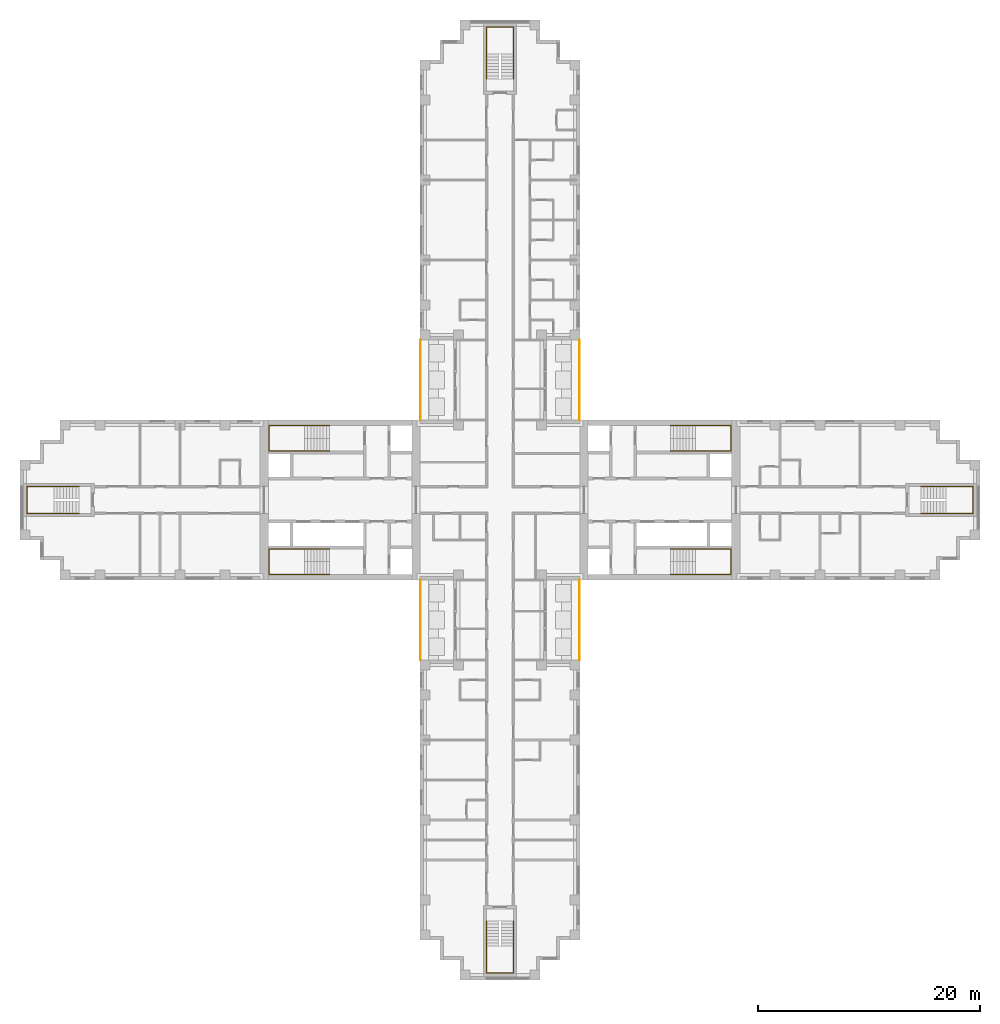
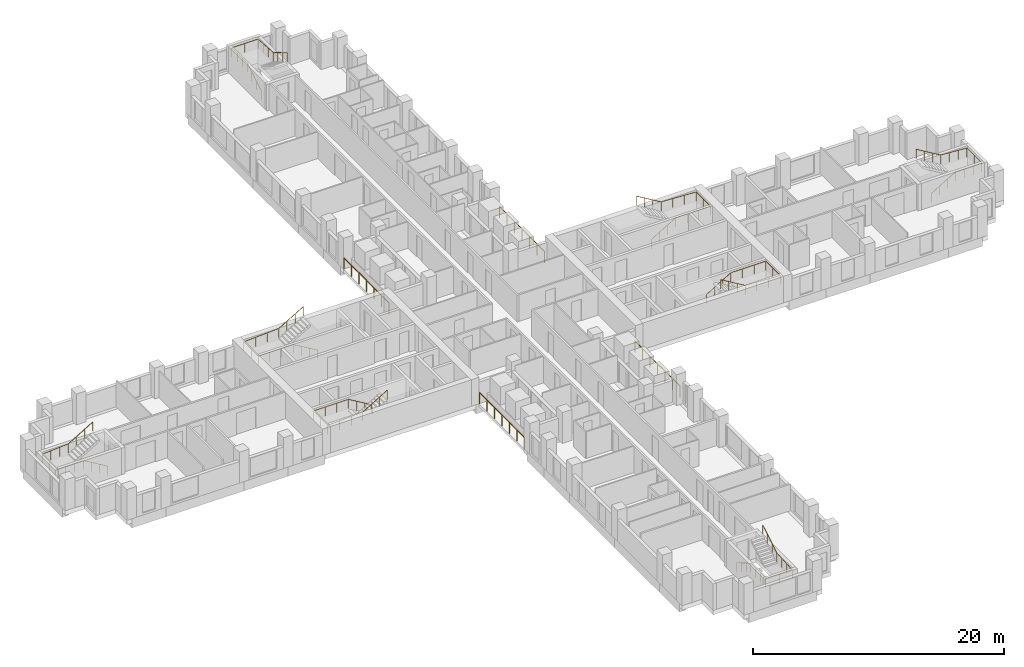
# One storey, part 14 of 15: 12 railings.
"""IFC4 building model written with IfcOpenShell, lengths in metres."""

from ifc_helpers import new_model, si_unit, direction, frame, origin, origin_2d, place, context, subcontext, project, spatial, circle, extrude, material, type_object, element, save


model = new_model("IFC4")

# Units and contexts
model_context = context("Model", 3, precision=1e-05, world=origin(), true_north=direction((0.0, 1.0)))
body_context = subcontext(model_context, "Body", "Model", "MODEL_VIEW")
ifc_project = project(units=[si_unit("LENGTHUNIT", "METRE"), si_unit("AREAUNIT", "SQUARE_METRE"), si_unit("VOLUMEUNIT", "CUBIC_METRE"), si_unit("PLANEANGLEUNIT", "RADIAN"), si_unit("MASSUNIT", "GRAM", prefix="KILO")], contexts=[model_context])

# Site, building, storey
site_placement = place(None, origin())
site = spatial("IfcSite", under=ifc_project, at=site_placement, CompositionType="ELEMENT")
building_placement = place(site_placement, origin())
building = spatial("IfcBuilding", under=site, at=building_placement, Name="Fustian Cross Tower", CompositionType="ELEMENT")
storey_placement = place(building_placement, frame((0.0, 0.0, 38.699951171875)))
storey = spatial("IfcBuildingStorey", under=building, at=storey_placement, Name="L11", CompositionType="ELEMENT", Elevation=38.699951171875)

# Railings
ifc_material_1 = material(Name="Stainless steel and glass", Category="steel")
railing_type_1 = type_object("IfcRailingType", Name="GR1 BALCONY GUARD 1100", PredefinedType="GUARDRAIL", material=ifc_material_1)
for number, where, name in (
    (1, (7.14990234375, 7.199951171875, 0.0), "Balcony guard"),
    (2, (-7.14990234375, 7.199951171875, 0.0), "Balcony guard"),
    (3, (7.14990234375, -14.39990234375, 0.0), "Balcony guard"),
    (4, (-7.14990234375, -14.39990234375, 0.0), "Balcony guard"),
):
    element("IfcRailing", number, at=place(storey_placement, frame(where)), inside=storey, type_object=railing_type_1, Name=name, PredefinedType="GUARDRAIL", context=body_context, shape_type="SweptSolid", body=[
        extrude(circle(Radius=0.02392578125, at=origin_2d()), frame((0.0, 0.0, 1.076171875), z_axis=(0.0, 1.0, 0.0), x_axis=(-1.0, 0.0, 0.0)), (0.0, 0.0, 1.0), 7.199951171875),
        extrude(circle(Radius=0.02099609375, at=origin_2d()), origin(), (0.0, 0.0, 1.0), 1.052001953125),
        extrude(circle(Radius=0.02099609375, at=origin_2d()), frame((0.0, 1.199951171875, 0.0)), (0.0, 0.0, 1.0), 1.052001953125),
        extrude(circle(Radius=0.02099609375, at=origin_2d()), frame((0.0, 2.39990234375, 0.0)), (0.0, 0.0, 1.0), 1.052001953125),
        extrude(circle(Radius=0.02099609375, at=origin_2d()), frame((0.0, 3.60009765625, 0.0)), (0.0, 0.0, 1.0), 1.052001953125),
        extrude(circle(Radius=0.02099609375, at=origin_2d()), frame((0.0, 4.800048828125, 0.0)), (0.0, 0.0, 1.0), 1.052001953125),
        extrude(circle(Radius=0.02099609375, at=origin_2d()), frame((0.0, 6.0, 0.0)), (0.0, 0.0, 1.0), 1.052001953125),
        extrude(circle(Radius=0.02099609375, at=origin_2d()), frame((0.0, 7.199951171875, 0.0)), (0.0, 0.0, 1.0), 1.052001953125),
    ])
ifc_material_2 = material(Name="Stainless steel", Category="steel")
railing_type_2 = type_object("IfcRailingType", Name="STAIR HANDRAIL", PredefinedType="HANDRAIL", material=ifc_material_2)
railing_1_placement = place(storey_placement, frame((15.35009765625, 4.39990234375, 0.166748046875)))
element("IfcRailing", 5, at=railing_1_placement, inside=storey, type_object=railing_type_2, Name="Stair ST1 handrail 1", PredefinedType="HANDRAIL", context=body_context, shape_type="SweptSolid", body=[
    extrude(circle(Radius=0.02490234375, at=origin_2d()), frame((0.0, 0.0, 0.875), z_axis=(0.859305625298, 0.0, 0.511462454469), x_axis=(0.0, 1.0, 0.0)), (0.0, 0.0, 1.0), 2.606689453125),
    extrude(circle(Radius=0.02490234375, at=origin_2d()), frame((2.239990234375, 0.0, 2.2080078125), z_axis=(1.0, 0.0, 0.0), x_axis=(0.0, 1.0, 0.0)), (0.0, 0.0, 1.0), 3.219970703125),
    extrude(circle(Radius=0.02490234375, at=origin_2d()), frame((5.4599609375, 0.0, 2.2080078125), z_axis=(0.0, 1.0, 0.0), x_axis=(-1.0, 0.0, 0.0)), (0.0, 0.0, 1.0), 2.300048828125),
    extrude(circle(Radius=0.02490234375, at=origin_2d()), frame((5.4599609375, 2.300048828125, 2.2080078125), z_axis=(-0.998661817807, 0.0, 0.051716280352), x_axis=(0.0, -1.0, 0.0)), (0.0, 0.0, 1.0), 3.224365234375),
    extrude(circle(Radius=0.02490234375, at=origin_2d()), frame((2.239990234375, 2.300048828125, 2.375), z_axis=(-0.859305625298, 0.0, 0.511462454469), x_axis=(0.0, -1.0, 0.0)), (0.0, 0.0, 1.0), 2.606689453125),
    extrude(circle(Radius=0.02001953125, at=origin_2d()), origin(), (0.0, 0.0, 1.0), 0.849853515625),
    extrude(circle(Radius=0.02001953125, at=origin_2d()), frame((0.74658203125, 0.0, 0.4443359375)), (0.0, 0.0, 1.0), 0.849853515625),
    extrude(circle(Radius=0.02001953125, at=origin_2d()), frame((1.493408203125, 0.0, 0.888916015625)), (0.0, 0.0, 1.0), 0.849853515625),
    extrude(circle(Radius=0.02001953125, at=origin_2d()), frame((2.239990234375, 0.0, 1.333251953125)), (0.0, 0.0, 1.0), 0.849853515625),
    extrude(circle(Radius=0.02001953125, at=origin_2d()), frame((3.313232421875, 0.0, 1.333251953125)), (0.0, 0.0, 1.0), 0.849853515625),
    extrude(circle(Radius=0.02001953125, at=origin_2d()), frame((4.38671875, 0.0, 1.333251953125)), (0.0, 0.0, 1.0), 0.849853515625),
    extrude(circle(Radius=0.02001953125, at=origin_2d()), frame((5.4599609375, 0.0, 1.333251953125)), (0.0, 0.0, 1.0), 0.849853515625),
    extrude(circle(Radius=0.02001953125, at=origin_2d()), frame((5.4599609375, 1.14990234375, 1.333251953125)), (0.0, 0.0, 1.0), 0.849853515625),
    extrude(circle(Radius=0.02001953125, at=origin_2d()), frame((5.4599609375, 2.300048828125, 1.333251953125)), (0.0, 0.0, 1.0), 0.849853515625),
    extrude(circle(Radius=0.02001953125, at=origin_2d()), frame((4.38671875, 2.300048828125, 1.388916015625)), (0.0, 0.0, 1.0), 0.849853515625),
    extrude(circle(Radius=0.02001953125, at=origin_2d()), frame((3.313232421875, 2.300048828125, 1.4443359375)), (0.0, 0.0, 1.0), 0.849853515625),
    extrude(circle(Radius=0.02001953125, at=origin_2d()), frame((2.239990234375, 2.300048828125, 1.5)), (0.0, 0.0, 1.0), 0.849853515625),
    extrude(circle(Radius=0.02001953125, at=origin_2d()), frame((1.493408203125, 2.300048828125, 1.9443359375)), (0.0, 0.0, 1.0), 0.849853515625),
    extrude(circle(Radius=0.02001953125, at=origin_2d()), frame((0.74658203125, 2.300048828125, 2.388916015625)), (0.0, 0.0, 1.0), 0.849853515625),
    extrude(circle(Radius=0.02001953125, at=origin_2d()), frame((0.0, 2.300048828125, 2.833251953125)), (0.0, 0.0, 1.0), 0.849853515625),
])
railing_2_placement = place(storey_placement, frame((15.35009765625, -4.39990234375, 0.166748046875)))
element("IfcRailing", 6, at=railing_2_placement, inside=storey, type_object=railing_type_2, Name="Stair ST2 handrail 1", PredefinedType="HANDRAIL", context=body_context, shape_type="SweptSolid", body=[
    extrude(circle(Radius=0.02490234375, at=origin_2d()), frame((0.0, 0.0, 0.875), z_axis=(0.859305625298, 0.0, 0.511462454469), x_axis=(0.0, 1.0, 0.0)), (0.0, 0.0, 1.0), 2.606689453125),
    extrude(circle(Radius=0.02490234375, at=origin_2d()), frame((2.239990234375, 0.0, 2.2080078125), z_axis=(1.0, 0.0, 0.0), x_axis=(0.0, 1.0, 0.0)), (0.0, 0.0, 1.0), 3.219970703125),
    extrude(circle(Radius=0.02490234375, at=origin_2d()), frame((5.4599609375, 0.0, 2.2080078125), z_axis=(0.0, -1.0, 0.0), x_axis=(1.0, 0.0, 0.0)), (0.0, 0.0, 1.0), 2.300048828125),
    extrude(circle(Radius=0.02490234375, at=origin_2d()), frame((5.4599609375, -2.300048828125, 2.2080078125), z_axis=(-0.998661817807, 0.0, 0.051716280352), x_axis=(0.0, -1.0, 0.0)), (0.0, 0.0, 1.0), 3.224365234375),
    extrude(circle(Radius=0.02490234375, at=origin_2d()), frame((2.239990234375, -2.300048828125, 2.375), z_axis=(-0.859305625298, 0.0, 0.511462454469), x_axis=(0.0, -1.0, 0.0)), (0.0, 0.0, 1.0), 2.606689453125),
    extrude(circle(Radius=0.02001953125, at=origin_2d()), origin(), (0.0, 0.0, 1.0), 0.849853515625),
    extrude(circle(Radius=0.02001953125, at=origin_2d()), frame((0.74658203125, 0.0, 0.4443359375)), (0.0, 0.0, 1.0), 0.849853515625),
    extrude(circle(Radius=0.02001953125, at=origin_2d()), frame((1.493408203125, 0.0, 0.888916015625)), (0.0, 0.0, 1.0), 0.849853515625),
    extrude(circle(Radius=0.02001953125, at=origin_2d()), frame((2.239990234375, 0.0, 1.333251953125)), (0.0, 0.0, 1.0), 0.849853515625),
    extrude(circle(Radius=0.02001953125, at=origin_2d()), frame((3.313232421875, 0.0, 1.333251953125)), (0.0, 0.0, 1.0), 0.849853515625),
    extrude(circle(Radius=0.02001953125, at=origin_2d()), frame((4.38671875, 0.0, 1.333251953125)), (0.0, 0.0, 1.0), 0.849853515625),
    extrude(circle(Radius=0.02001953125, at=origin_2d()), frame((5.4599609375, 0.0, 1.333251953125)), (0.0, 0.0, 1.0), 0.849853515625),
    extrude(circle(Radius=0.02001953125, at=origin_2d()), frame((5.4599609375, -1.14990234375, 1.333251953125)), (0.0, 0.0, 1.0), 0.849853515625),
    extrude(circle(Radius=0.02001953125, at=origin_2d()), frame((5.4599609375, -2.300048828125, 1.333251953125)), (0.0, 0.0, 1.0), 0.849853515625),
    extrude(circle(Radius=0.02001953125, at=origin_2d()), frame((4.38671875, -2.300048828125, 1.388916015625)), (0.0, 0.0, 1.0), 0.849853515625),
    extrude(circle(Radius=0.02001953125, at=origin_2d()), frame((3.313232421875, -2.300048828125, 1.4443359375)), (0.0, 0.0, 1.0), 0.849853515625),
    extrude(circle(Radius=0.02001953125, at=origin_2d()), frame((2.239990234375, -2.300048828125, 1.5)), (0.0, 0.0, 1.0), 0.849853515625),
    extrude(circle(Radius=0.02001953125, at=origin_2d()), frame((1.493408203125, -2.300048828125, 1.9443359375)), (0.0, 0.0, 1.0), 0.849853515625),
    extrude(circle(Radius=0.02001953125, at=origin_2d()), frame((0.74658203125, -2.300048828125, 2.388916015625)), (0.0, 0.0, 1.0), 0.849853515625),
    extrude(circle(Radius=0.02001953125, at=origin_2d()), frame((0.0, -2.300048828125, 2.833251953125)), (0.0, 0.0, 1.0), 0.849853515625),
])
railing_3_placement = place(storey_placement, frame((-15.35009765625, 4.39990234375, 0.166748046875)))
element("IfcRailing", 7, at=railing_3_placement, inside=storey, type_object=railing_type_2, Name="Stair ST3 handrail 1", PredefinedType="HANDRAIL", context=body_context, shape_type="SweptSolid", body=[
    extrude(circle(Radius=0.02490234375, at=origin_2d()), frame((0.0, 0.0, 0.875), z_axis=(-0.859305625298, 0.0, 0.511462454469), x_axis=(0.0, -1.0, 0.0)), (0.0, 0.0, 1.0), 2.606689453125),
    extrude(circle(Radius=0.02490234375, at=origin_2d()), frame((-2.239990234375, 0.0, 2.2080078125), z_axis=(-1.0, 0.0, 0.0), x_axis=(0.0, -1.0, 0.0)), (0.0, 0.0, 1.0), 3.219970703125),
    extrude(circle(Radius=0.02490234375, at=origin_2d()), frame((-5.4599609375, 0.0, 2.2080078125), z_axis=(0.0, 1.0, 0.0), x_axis=(-1.0, 0.0, 0.0)), (0.0, 0.0, 1.0), 2.300048828125),
    extrude(circle(Radius=0.02490234375, at=origin_2d()), frame((-5.4599609375, 2.300048828125, 2.2080078125), z_axis=(0.998661817807, 0.0, 0.051716280352), x_axis=(0.0, 1.0, 0.0)), (0.0, 0.0, 1.0), 3.224365234375),
    extrude(circle(Radius=0.02490234375, at=origin_2d()), frame((-2.239990234375, 2.300048828125, 2.375), z_axis=(0.859305625298, 0.0, 0.511462454469), x_axis=(0.0, 1.0, 0.0)), (0.0, 0.0, 1.0), 2.606689453125),
    extrude(circle(Radius=0.02001953125, at=origin_2d()), origin(), (0.0, 0.0, 1.0), 0.849853515625),
    extrude(circle(Radius=0.02001953125, at=origin_2d()), frame((-0.74658203125, 0.0, 0.4443359375)), (0.0, 0.0, 1.0), 0.849853515625),
    extrude(circle(Radius=0.02001953125, at=origin_2d()), frame((-1.493408203125, 0.0, 0.888916015625)), (0.0, 0.0, 1.0), 0.849853515625),
    extrude(circle(Radius=0.02001953125, at=origin_2d()), frame((-2.239990234375, 0.0, 1.333251953125)), (0.0, 0.0, 1.0), 0.849853515625),
    extrude(circle(Radius=0.02001953125, at=origin_2d()), frame((-3.313232421875, 0.0, 1.333251953125)), (0.0, 0.0, 1.0), 0.849853515625),
    extrude(circle(Radius=0.02001953125, at=origin_2d()), frame((-4.38671875, 0.0, 1.333251953125)), (0.0, 0.0, 1.0), 0.849853515625),
    extrude(circle(Radius=0.02001953125, at=origin_2d()), frame((-5.4599609375, 0.0, 1.333251953125)), (0.0, 0.0, 1.0), 0.849853515625),
    extrude(circle(Radius=0.02001953125, at=origin_2d()), frame((-5.4599609375, 1.14990234375, 1.333251953125)), (0.0, 0.0, 1.0), 0.849853515625),
    extrude(circle(Radius=0.02001953125, at=origin_2d()), frame((-5.4599609375, 2.300048828125, 1.333251953125)), (0.0, 0.0, 1.0), 0.849853515625),
    extrude(circle(Radius=0.02001953125, at=origin_2d()), frame((-4.38671875, 2.300048828125, 1.388916015625)), (0.0, 0.0, 1.0), 0.849853515625),
    extrude(circle(Radius=0.02001953125, at=origin_2d()), frame((-3.313232421875, 2.300048828125, 1.4443359375)), (0.0, 0.0, 1.0), 0.849853515625),
    extrude(circle(Radius=0.02001953125, at=origin_2d()), frame((-2.239990234375, 2.300048828125, 1.5)), (0.0, 0.0, 1.0), 0.849853515625),
    extrude(circle(Radius=0.02001953125, at=origin_2d()), frame((-1.493408203125, 2.300048828125, 1.9443359375)), (0.0, 0.0, 1.0), 0.849853515625),
    extrude(circle(Radius=0.02001953125, at=origin_2d()), frame((-0.74658203125, 2.300048828125, 2.388916015625)), (0.0, 0.0, 1.0), 0.849853515625),
    extrude(circle(Radius=0.02001953125, at=origin_2d()), frame((0.0, 2.300048828125, 2.833251953125)), (0.0, 0.0, 1.0), 0.849853515625),
])
railing_4_placement = place(storey_placement, frame((-15.35009765625, -4.39990234375, 0.166748046875)))
element("IfcRailing", 8, at=railing_4_placement, inside=storey, type_object=railing_type_2, Name="Stair ST4 handrail 1", PredefinedType="HANDRAIL", context=body_context, shape_type="SweptSolid", body=[
    extrude(circle(Radius=0.02490234375, at=origin_2d()), frame((0.0, 0.0, 0.875), z_axis=(-0.859305625298, 0.0, 0.511462454469), x_axis=(0.0, -1.0, 0.0)), (0.0, 0.0, 1.0), 2.606689453125),
    extrude(circle(Radius=0.02490234375, at=origin_2d()), frame((-2.239990234375, 0.0, 2.2080078125), z_axis=(-1.0, 0.0, 0.0), x_axis=(0.0, -1.0, 0.0)), (0.0, 0.0, 1.0), 3.219970703125),
    extrude(circle(Radius=0.02490234375, at=origin_2d()), frame((-5.4599609375, 0.0, 2.2080078125), z_axis=(0.0, -1.0, 0.0), x_axis=(1.0, 0.0, 0.0)), (0.0, 0.0, 1.0), 2.300048828125),
    extrude(circle(Radius=0.02490234375, at=origin_2d()), frame((-5.4599609375, -2.300048828125, 2.2080078125), z_axis=(0.998661817807, 0.0, 0.051716280352), x_axis=(0.0, 1.0, 0.0)), (0.0, 0.0, 1.0), 3.224365234375),
    extrude(circle(Radius=0.02490234375, at=origin_2d()), frame((-2.239990234375, -2.300048828125, 2.375), z_axis=(0.859305625298, 0.0, 0.511462454469), x_axis=(0.0, 1.0, 0.0)), (0.0, 0.0, 1.0), 2.606689453125),
    extrude(circle(Radius=0.02001953125, at=origin_2d()), origin(), (0.0, 0.0, 1.0), 0.849853515625),
    extrude(circle(Radius=0.02001953125, at=origin_2d()), frame((-0.74658203125, 0.0, 0.4443359375)), (0.0, 0.0, 1.0), 0.849853515625),
    extrude(circle(Radius=0.02001953125, at=origin_2d()), frame((-1.493408203125, 0.0, 0.888916015625)), (0.0, 0.0, 1.0), 0.849853515625),
    extrude(circle(Radius=0.02001953125, at=origin_2d()), frame((-2.239990234375, 0.0, 1.333251953125)), (0.0, 0.0, 1.0), 0.849853515625),
    extrude(circle(Radius=0.02001953125, at=origin_2d()), frame((-3.313232421875, 0.0, 1.333251953125)), (0.0, 0.0, 1.0), 0.849853515625),
    extrude(circle(Radius=0.02001953125, at=origin_2d()), frame((-4.38671875, 0.0, 1.333251953125)), (0.0, 0.0, 1.0), 0.849853515625),
    extrude(circle(Radius=0.02001953125, at=origin_2d()), frame((-5.4599609375, 0.0, 1.333251953125)), (0.0, 0.0, 1.0), 0.849853515625),
    extrude(circle(Radius=0.02001953125, at=origin_2d()), frame((-5.4599609375, -1.14990234375, 1.333251953125)), (0.0, 0.0, 1.0), 0.849853515625),
    extrude(circle(Radius=0.02001953125, at=origin_2d()), frame((-5.4599609375, -2.300048828125, 1.333251953125)), (0.0, 0.0, 1.0), 0.849853515625),
    extrude(circle(Radius=0.02001953125, at=origin_2d()), frame((-4.38671875, -2.300048828125, 1.388916015625)), (0.0, 0.0, 1.0), 0.849853515625),
    extrude(circle(Radius=0.02001953125, at=origin_2d()), frame((-3.313232421875, -2.300048828125, 1.4443359375)), (0.0, 0.0, 1.0), 0.849853515625),
    extrude(circle(Radius=0.02001953125, at=origin_2d()), frame((-2.239990234375, -2.300048828125, 1.5)), (0.0, 0.0, 1.0), 0.849853515625),
    extrude(circle(Radius=0.02001953125, at=origin_2d()), frame((-1.493408203125, -2.300048828125, 1.9443359375)), (0.0, 0.0, 1.0), 0.849853515625),
    extrude(circle(Radius=0.02001953125, at=origin_2d()), frame((-0.74658203125, -2.300048828125, 2.388916015625)), (0.0, 0.0, 1.0), 0.849853515625),
    extrude(circle(Radius=0.02001953125, at=origin_2d()), frame((0.0, -2.300048828125, 2.833251953125)), (0.0, 0.0, 1.0), 0.849853515625),
])
railing_5_placement = place(storey_placement, frame((-1.199951171875, 37.89990234375, 0.166748046875)))
element("IfcRailing", 9, at=railing_5_placement, inside=storey, type_object=railing_type_2, Name="Stair ST5 handrail 1", PredefinedType="HANDRAIL", context=body_context, shape_type="SweptSolid", body=[
    extrude(circle(Radius=0.02490234375, at=origin_2d()), frame((0.0, 0.0, 0.875), z_axis=(0.0, 0.859305625298, 0.511462454469), x_axis=(-1.0, 0.0, 0.0)), (0.0, 0.0, 1.0), 2.606689453125),
    extrude(circle(Radius=0.02490234375, at=origin_2d()), frame((0.0, 2.239990234375, 2.2080078125), z_axis=(0.0, 1.0, 0.0), x_axis=(-1.0, 0.0, 0.0)), (0.0, 0.0, 1.0), 2.420166015625),
    extrude(circle(Radius=0.02490234375, at=origin_2d()), frame((0.0, 4.66015625, 2.2080078125), z_axis=(1.0, 0.0, 0.0), x_axis=(0.0, 1.0, 0.0)), (0.0, 0.0, 1.0), 2.39990234375),
    extrude(circle(Radius=0.02490234375, at=origin_2d()), frame((2.39990234375, 4.66015625, 2.2080078125), z_axis=(0.0, -0.997634852044, 0.068736467663), x_axis=(1.0, 0.0, 0.0)), (0.0, 0.0, 1.0), 2.426025390625),
    extrude(circle(Radius=0.02490234375, at=origin_2d()), frame((2.39990234375, 2.239990234375, 2.375), z_axis=(0.0, -0.859305625298, 0.511462454469), x_axis=(1.0, 0.0, 0.0)), (0.0, 0.0, 1.0), 2.606689453125),
    extrude(circle(Radius=0.02001953125, at=origin_2d()), origin(), (0.0, 0.0, 1.0), 0.849853515625),
    extrude(circle(Radius=0.02001953125, at=origin_2d()), frame((0.0, 0.74658203125, 0.4443359375)), (0.0, 0.0, 1.0), 0.849853515625),
    extrude(circle(Radius=0.02001953125, at=origin_2d()), frame((0.0, 1.493408203125, 0.888916015625)), (0.0, 0.0, 1.0), 0.849853515625),
    extrude(circle(Radius=0.02001953125, at=origin_2d()), frame((0.0, 2.239990234375, 1.333251953125)), (0.0, 0.0, 1.0), 0.849853515625),
    extrude(circle(Radius=0.02001953125, at=origin_2d()), frame((0.0, 3.046630859375, 1.333251953125)), (0.0, 0.0, 1.0), 0.849853515625),
    extrude(circle(Radius=0.02001953125, at=origin_2d()), frame((0.0, 3.853515625, 1.333251953125)), (0.0, 0.0, 1.0), 0.849853515625),
    extrude(circle(Radius=0.02001953125, at=origin_2d()), frame((0.0, 4.66015625, 1.333251953125)), (0.0, 0.0, 1.0), 0.849853515625),
    extrude(circle(Radius=0.02001953125, at=origin_2d()), frame((1.199951171875, 4.66015625, 1.333251953125)), (0.0, 0.0, 1.0), 0.849853515625),
    extrude(circle(Radius=0.02001953125, at=origin_2d()), frame((2.39990234375, 4.66015625, 1.333251953125)), (0.0, 0.0, 1.0), 0.849853515625),
    extrude(circle(Radius=0.02001953125, at=origin_2d()), frame((2.39990234375, 3.853515625, 1.388916015625)), (0.0, 0.0, 1.0), 0.849853515625),
    extrude(circle(Radius=0.02001953125, at=origin_2d()), frame((2.39990234375, 3.046630859375, 1.4443359375)), (0.0, 0.0, 1.0), 0.849853515625),
    extrude(circle(Radius=0.02001953125, at=origin_2d()), frame((2.39990234375, 2.239990234375, 1.5)), (0.0, 0.0, 1.0), 0.849853515625),
    extrude(circle(Radius=0.02001953125, at=origin_2d()), frame((2.39990234375, 1.493408203125, 1.9443359375)), (0.0, 0.0, 1.0), 0.849853515625),
    extrude(circle(Radius=0.02001953125, at=origin_2d()), frame((2.39990234375, 0.74658203125, 2.388916015625)), (0.0, 0.0, 1.0), 0.849853515625),
    extrude(circle(Radius=0.02001953125, at=origin_2d()), frame((2.39990234375, 0.0, 2.833251953125)), (0.0, 0.0, 1.0), 0.849853515625),
])
railing_6_placement = place(storey_placement, frame((-1.199951171875, -37.89990234375, 0.166748046875)))
element("IfcRailing", 10, at=railing_6_placement, inside=storey, type_object=railing_type_2, Name="Stair ST6 handrail 1", PredefinedType="HANDRAIL", context=body_context, shape_type="SweptSolid", body=[
    extrude(circle(Radius=0.02490234375, at=origin_2d()), frame((0.0, 0.0, 0.875), z_axis=(0.0, -0.859305625298, 0.511462454469), x_axis=(1.0, 0.0, 0.0)), (0.0, 0.0, 1.0), 2.606689453125),
    extrude(circle(Radius=0.02490234375, at=origin_2d()), frame((0.0, -2.239990234375, 2.2080078125), z_axis=(0.0, -1.0, 0.0), x_axis=(1.0, 0.0, 0.0)), (0.0, 0.0, 1.0), 2.420166015625),
    extrude(circle(Radius=0.02490234375, at=origin_2d()), frame((0.0, -4.66015625, 2.2080078125), z_axis=(1.0, 0.0, 0.0), x_axis=(0.0, 1.0, 0.0)), (0.0, 0.0, 1.0), 2.39990234375),
    extrude(circle(Radius=0.02490234375, at=origin_2d()), frame((2.39990234375, -4.66015625, 2.2080078125), z_axis=(0.0, 0.997634852044, 0.068736467663), x_axis=(-1.0, 0.0, 0.0)), (0.0, 0.0, 1.0), 2.426025390625),
    extrude(circle(Radius=0.02490234375, at=origin_2d()), frame((2.39990234375, -2.239990234375, 2.375), z_axis=(0.0, 0.859305625298, 0.511462454469), x_axis=(-1.0, 0.0, 0.0)), (0.0, 0.0, 1.0), 2.606689453125),
    extrude(circle(Radius=0.02001953125, at=origin_2d()), origin(), (0.0, 0.0, 1.0), 0.849853515625),
    extrude(circle(Radius=0.02001953125, at=origin_2d()), frame((0.0, -0.74658203125, 0.4443359375)), (0.0, 0.0, 1.0), 0.849853515625),
    extrude(circle(Radius=0.02001953125, at=origin_2d()), frame((0.0, -1.493408203125, 0.888916015625)), (0.0, 0.0, 1.0), 0.849853515625),
    extrude(circle(Radius=0.02001953125, at=origin_2d()), frame((0.0, -2.239990234375, 1.333251953125)), (0.0, 0.0, 1.0), 0.849853515625),
    extrude(circle(Radius=0.02001953125, at=origin_2d()), frame((0.0, -3.046630859375, 1.333251953125)), (0.0, 0.0, 1.0), 0.849853515625),
    extrude(circle(Radius=0.02001953125, at=origin_2d()), frame((0.0, -3.853515625, 1.333251953125)), (0.0, 0.0, 1.0), 0.849853515625),
    extrude(circle(Radius=0.02001953125, at=origin_2d()), frame((0.0, -4.66015625, 1.333251953125)), (0.0, 0.0, 1.0), 0.849853515625),
    extrude(circle(Radius=0.02001953125, at=origin_2d()), frame((1.199951171875, -4.66015625, 1.333251953125)), (0.0, 0.0, 1.0), 0.849853515625),
    extrude(circle(Radius=0.02001953125, at=origin_2d()), frame((2.39990234375, -4.66015625, 1.333251953125)), (0.0, 0.0, 1.0), 0.849853515625),
    extrude(circle(Radius=0.02001953125, at=origin_2d()), frame((2.39990234375, -3.853515625, 1.388916015625)), (0.0, 0.0, 1.0), 0.849853515625),
    extrude(circle(Radius=0.02001953125, at=origin_2d()), frame((2.39990234375, -3.046630859375, 1.4443359375)), (0.0, 0.0, 1.0), 0.849853515625),
    extrude(circle(Radius=0.02001953125, at=origin_2d()), frame((2.39990234375, -2.239990234375, 1.5)), (0.0, 0.0, 1.0), 0.849853515625),
    extrude(circle(Radius=0.02001953125, at=origin_2d()), frame((2.39990234375, -1.493408203125, 1.9443359375)), (0.0, 0.0, 1.0), 0.849853515625),
    extrude(circle(Radius=0.02001953125, at=origin_2d()), frame((2.39990234375, -0.74658203125, 2.388916015625)), (0.0, 0.0, 1.0), 0.849853515625),
    extrude(circle(Radius=0.02001953125, at=origin_2d()), frame((2.39990234375, 0.0, 2.833251953125)), (0.0, 0.0, 1.0), 0.849853515625),
])
railing_7_placement = place(storey_placement, frame((37.89990234375, -1.199951171875, 0.166748046875)))
element("IfcRailing", 11, at=railing_7_placement, inside=storey, type_object=railing_type_2, Name="Stair ST8 handrail 1", PredefinedType="HANDRAIL", context=body_context, shape_type="SweptSolid", body=[
    extrude(circle(Radius=0.02490234375, at=origin_2d()), frame((0.0, 0.0, 0.875), z_axis=(0.859305625298, 0.0, 0.511462454469), x_axis=(0.0, 1.0, 0.0)), (0.0, 0.0, 1.0), 2.606689453125),
    extrude(circle(Radius=0.02490234375, at=origin_2d()), frame((2.239990234375, 0.0, 2.2080078125), z_axis=(1.0, 0.0, 0.0), x_axis=(0.0, 1.0, 0.0)), (0.0, 0.0, 1.0), 2.420166015625),
    extrude(circle(Radius=0.02490234375, at=origin_2d()), frame((4.66015625, 0.0, 2.2080078125), z_axis=(0.0, 1.0, 0.0), x_axis=(-1.0, 0.0, 0.0)), (0.0, 0.0, 1.0), 2.39990234375),
    extrude(circle(Radius=0.02490234375, at=origin_2d()), frame((4.66015625, 2.39990234375, 2.2080078125), z_axis=(-0.997634852044, 0.0, 0.068736467663), x_axis=(0.0, -1.0, 0.0)), (0.0, 0.0, 1.0), 2.426025390625),
    extrude(circle(Radius=0.02490234375, at=origin_2d()), frame((2.239990234375, 2.39990234375, 2.375), z_axis=(-0.859305625298, 0.0, 0.511462454469), x_axis=(0.0, -1.0, 0.0)), (0.0, 0.0, 1.0), 2.606689453125),
    extrude(circle(Radius=0.02001953125, at=origin_2d()), origin(), (0.0, 0.0, 1.0), 0.849853515625),
    extrude(circle(Radius=0.02001953125, at=origin_2d()), frame((0.74658203125, 0.0, 0.4443359375)), (0.0, 0.0, 1.0), 0.849853515625),
    extrude(circle(Radius=0.02001953125, at=origin_2d()), frame((1.493408203125, 0.0, 0.888916015625)), (0.0, 0.0, 1.0), 0.849853515625),
    extrude(circle(Radius=0.02001953125, at=origin_2d()), frame((2.239990234375, 0.0, 1.333251953125)), (0.0, 0.0, 1.0), 0.849853515625),
    extrude(circle(Radius=0.02001953125, at=origin_2d()), frame((3.046630859375, 0.0, 1.333251953125)), (0.0, 0.0, 1.0), 0.849853515625),
    extrude(circle(Radius=0.02001953125, at=origin_2d()), frame((3.853515625, 0.0, 1.333251953125)), (0.0, 0.0, 1.0), 0.849853515625),
    extrude(circle(Radius=0.02001953125, at=origin_2d()), frame((4.66015625, 0.0, 1.333251953125)), (0.0, 0.0, 1.0), 0.849853515625),
    extrude(circle(Radius=0.02001953125, at=origin_2d()), frame((4.66015625, 1.199951171875, 1.333251953125)), (0.0, 0.0, 1.0), 0.849853515625),
    extrude(circle(Radius=0.02001953125, at=origin_2d()), frame((4.66015625, 2.39990234375, 1.333251953125)), (0.0, 0.0, 1.0), 0.849853515625),
    extrude(circle(Radius=0.02001953125, at=origin_2d()), frame((3.853515625, 2.39990234375, 1.388916015625)), (0.0, 0.0, 1.0), 0.849853515625),
    extrude(circle(Radius=0.02001953125, at=origin_2d()), frame((3.046630859375, 2.39990234375, 1.4443359375)), (0.0, 0.0, 1.0), 0.849853515625),
    extrude(circle(Radius=0.02001953125, at=origin_2d()), frame((2.239990234375, 2.39990234375, 1.5)), (0.0, 0.0, 1.0), 0.849853515625),
    extrude(circle(Radius=0.02001953125, at=origin_2d()), frame((1.493408203125, 2.39990234375, 1.9443359375)), (0.0, 0.0, 1.0), 0.849853515625),
    extrude(circle(Radius=0.02001953125, at=origin_2d()), frame((0.74658203125, 2.39990234375, 2.388916015625)), (0.0, 0.0, 1.0), 0.849853515625),
    extrude(circle(Radius=0.02001953125, at=origin_2d()), frame((0.0, 2.39990234375, 2.833251953125)), (0.0, 0.0, 1.0), 0.849853515625),
])
railing_8_placement = place(storey_placement, frame((-37.89990234375, -1.199951171875, 0.166748046875)))
element("IfcRailing", 12, at=railing_8_placement, inside=storey, type_object=railing_type_2, Name="Stair ST9 handrail 1", PredefinedType="HANDRAIL", context=body_context, shape_type="SweptSolid", body=[
    extrude(circle(Radius=0.02490234375, at=origin_2d()), frame((0.0, 0.0, 0.875), z_axis=(-0.859305625298, 0.0, 0.511462454469), x_axis=(0.0, -1.0, 0.0)), (0.0, 0.0, 1.0), 2.606689453125),
    extrude(circle(Radius=0.02490234375, at=origin_2d()), frame((-2.239990234375, 0.0, 2.2080078125), z_axis=(-1.0, 0.0, 0.0), x_axis=(0.0, -1.0, 0.0)), (0.0, 0.0, 1.0), 2.420166015625),
    extrude(circle(Radius=0.02490234375, at=origin_2d()), frame((-4.66015625, 0.0, 2.2080078125), z_axis=(0.0, 1.0, 0.0), x_axis=(-1.0, 0.0, 0.0)), (0.0, 0.0, 1.0), 2.39990234375),
    extrude(circle(Radius=0.02490234375, at=origin_2d()), frame((-4.66015625, 2.39990234375, 2.2080078125), z_axis=(0.997634852044, 0.0, 0.068736467663), x_axis=(0.0, 1.0, 0.0)), (0.0, 0.0, 1.0), 2.426025390625),
    extrude(circle(Radius=0.02490234375, at=origin_2d()), frame((-2.239990234375, 2.39990234375, 2.375), z_axis=(0.859305625298, 0.0, 0.511462454469), x_axis=(0.0, 1.0, 0.0)), (0.0, 0.0, 1.0), 2.606689453125),
    extrude(circle(Radius=0.02001953125, at=origin_2d()), origin(), (0.0, 0.0, 1.0), 0.849853515625),
    extrude(circle(Radius=0.02001953125, at=origin_2d()), frame((-0.74658203125, 0.0, 0.4443359375)), (0.0, 0.0, 1.0), 0.849853515625),
    extrude(circle(Radius=0.02001953125, at=origin_2d()), frame((-1.493408203125, 0.0, 0.888916015625)), (0.0, 0.0, 1.0), 0.849853515625),
    extrude(circle(Radius=0.02001953125, at=origin_2d()), frame((-2.239990234375, 0.0, 1.333251953125)), (0.0, 0.0, 1.0), 0.849853515625),
    extrude(circle(Radius=0.02001953125, at=origin_2d()), frame((-3.046630859375, 0.0, 1.333251953125)), (0.0, 0.0, 1.0), 0.849853515625),
    extrude(circle(Radius=0.02001953125, at=origin_2d()), frame((-3.853515625, 0.0, 1.333251953125)), (0.0, 0.0, 1.0), 0.849853515625),
    extrude(circle(Radius=0.02001953125, at=origin_2d()), frame((-4.66015625, 0.0, 1.333251953125)), (0.0, 0.0, 1.0), 0.849853515625),
    extrude(circle(Radius=0.02001953125, at=origin_2d()), frame((-4.66015625, 1.199951171875, 1.333251953125)), (0.0, 0.0, 1.0), 0.849853515625),
    extrude(circle(Radius=0.02001953125, at=origin_2d()), frame((-4.66015625, 2.39990234375, 1.333251953125)), (0.0, 0.0, 1.0), 0.849853515625),
    extrude(circle(Radius=0.02001953125, at=origin_2d()), frame((-3.853515625, 2.39990234375, 1.388916015625)), (0.0, 0.0, 1.0), 0.849853515625),
    extrude(circle(Radius=0.02001953125, at=origin_2d()), frame((-3.046630859375, 2.39990234375, 1.4443359375)), (0.0, 0.0, 1.0), 0.849853515625),
    extrude(circle(Radius=0.02001953125, at=origin_2d()), frame((-2.239990234375, 2.39990234375, 1.5)), (0.0, 0.0, 1.0), 0.849853515625),
    extrude(circle(Radius=0.02001953125, at=origin_2d()), frame((-1.493408203125, 2.39990234375, 1.9443359375)), (0.0, 0.0, 1.0), 0.849853515625),
    extrude(circle(Radius=0.02001953125, at=origin_2d()), frame((-0.74658203125, 2.39990234375, 2.388916015625)), (0.0, 0.0, 1.0), 0.849853515625),
    extrude(circle(Radius=0.02001953125, at=origin_2d()), frame((0.0, 2.39990234375, 2.833251953125)), (0.0, 0.0, 1.0), 0.849853515625),
])

save(model, "model.ifc")
